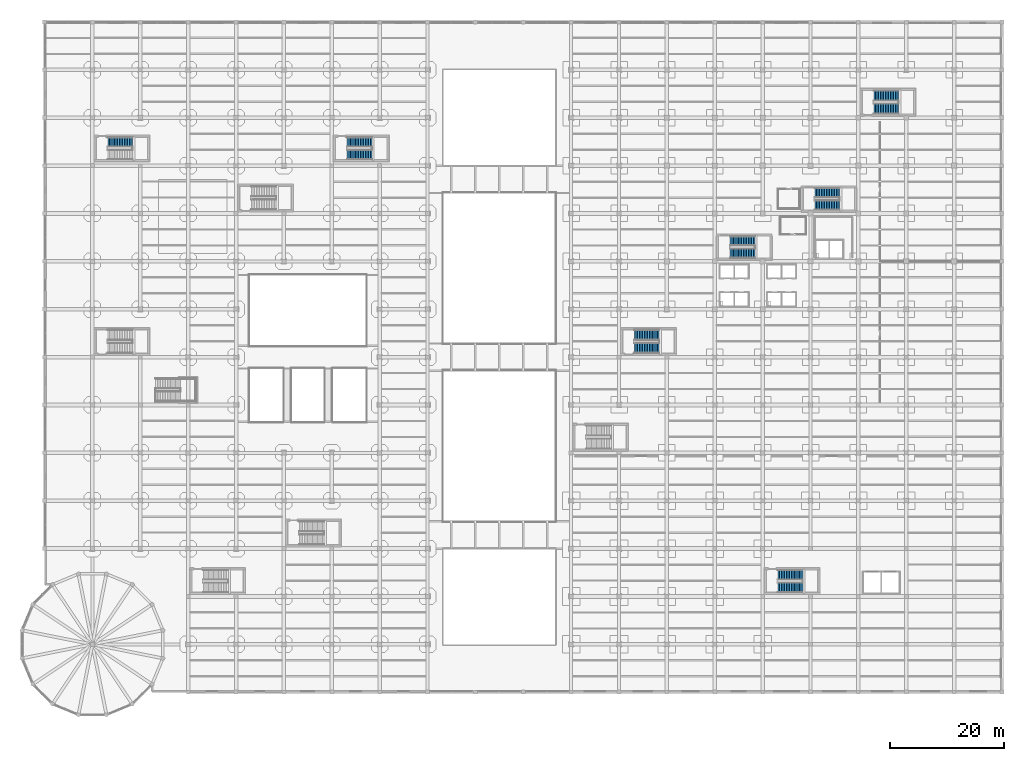
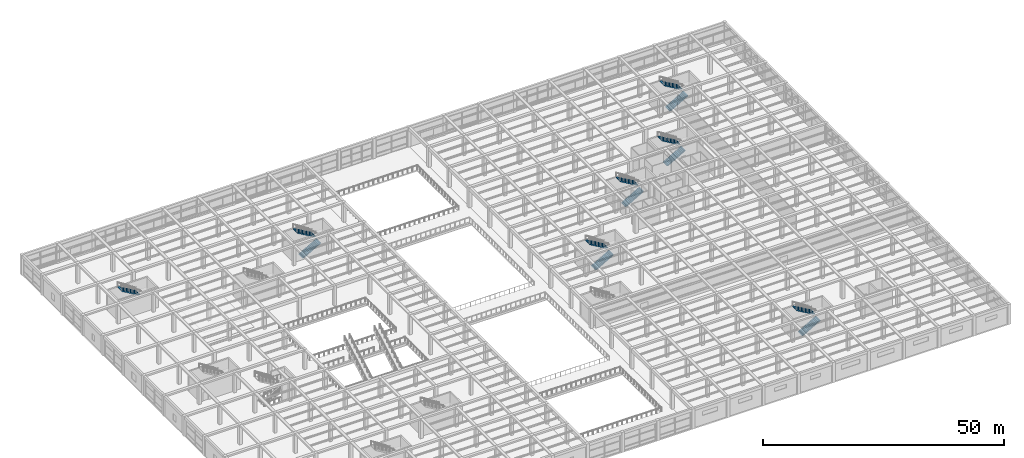
# One storey, part 84 of 96: 13 stair flights, 7 elements without a shape of their own.
"""IFC4 building model written with IfcOpenShell, lengths in metres."""

from ifc_helpers import new_model, si_unit, direction, frame, origin, place, context, subcontext, project, spatial, polyline, outline, extrude, material, layer, layer_set, type_object, element, aggregate, save


model = new_model("IFC4")

# Units and contexts
model_context = context("Model", 3, precision=1e-05, world=origin(), true_north=direction((0.0, 1.0)))
body_context = subcontext(model_context, "Body", "Model", "MODEL_VIEW")
ifc_project = project(units=[si_unit("LENGTHUNIT", "METRE"), si_unit("AREAUNIT", "SQUARE_METRE"), si_unit("VOLUMEUNIT", "CUBIC_METRE"), si_unit("PLANEANGLEUNIT", "RADIAN"), si_unit("MASSUNIT", "GRAM", prefix="KILO")], contexts=[model_context])

# Site, building, storey
site_placement = place(None, origin())
site = spatial("IfcSite", under=ifc_project, at=site_placement, CompositionType="ELEMENT")
building_placement = place(site_placement, origin())
building = spatial("IfcBuilding", under=site, at=building_placement, Name="Almacenes y Pasaje Nevantli", CompositionType="ELEMENT")
storey_placement = place(building_placement, frame((0.0, 0.0, 6.0)))
storey = spatial("IfcBuildingStorey", under=building, at=storey_placement, Name="L02", CompositionType="ELEMENT", Elevation=6.0)

# Stair, stair flights
ifc_material_1 = material(Name="Concrete C35/45", Category="concrete")
stair_type_1 = type_object("IfcStairType", Name="STR-CORE-1720", PredefinedType="HALF_TURN_STAIR", material=ifc_material_1)
stair_1_placement = place(storey_placement, origin())
stair_1 = element("IfcStair", 1, at=stair_1_placement, inside=storey, type_object=stair_type_1, Name="L02 Staircase ST-01", PredefinedType="HALF_TURN_STAIR")
ifc_material_2 = material(Name="Concrete C35/45", Category="concrete")
ifc_layer = layer(ifc_material_2, 0.199951171875)
ifc_layer_set = layer_set([ifc_layer], Name="Concrete C35/45")
stair_flight_type = type_object("IfcStairFlightType", Name="SFL-RC-200", PredefinedType="STRAIGHT", material=ifc_layer_set)
stair_flight_1_placement = place(storey_placement, frame((120.300048828125, 77.010009765625, 0.0), z_axis=(0.0, 0.0, 1.0), x_axis=(1.0, 0.0, 0.0)))
stair_flight_1 = element("IfcStairFlight", 2, at=stair_flight_1_placement, type_object=stair_flight_type, Name="ST-01-L02 flight 1", NumberOfRisers=16, NumberOfTreads=15, PredefinedType="STRAIGHT", RiserHeight=0.16875, TreadLength=0.29, context=body_context, shape_type="SweptSolid", body=[
    extrude(outline(polyline([(0.0, 0.0), (0.0, 0.168701171875), (0.2900390625, 0.168701171875), (0.2900390625, 0.33740234375), (0.580078125, 0.33740234375), (0.580078125, 0.50634765625), (0.8701171875, 0.50634765625), (0.8701171875, 0.675048828125), (1.159912109375, 0.675048828125), (1.159912109375, 0.84375), (1.449951171875, 0.84375), (1.449951171875, 1.012451171875), (1.739990234375, 1.012451171875), (1.739990234375, 1.18115234375), (2.030029296875, 1.18115234375), (2.030029296875, 1.35009765625), (2.320068359375, 1.35009765625), (2.320068359375, 1.518798828125), (2.610107421875, 1.518798828125), (2.610107421875, 1.6875), (2.89990234375, 1.6875), (2.89990234375, 1.856201171875), (3.18994140625, 1.856201171875), (3.18994140625, 2.02490234375), (3.47998046875, 2.02490234375), (3.47998046875, 2.19384765625), (3.77001953125, 2.19384765625), (3.77001953125, 2.362548828125), (4.06005859375, 2.362548828125), (4.06005859375, 2.53125), (4.35009765625, 2.53125), (4.35009765625, 2.699951171875), (4.35009765625, 2.2998046875), (0.3974609375, 0.0), (0.0, 0.0)])), frame((0.0, 0.85986328125, 0.0), z_axis=(0.0, -1.0, 0.0), x_axis=(1.0, 0.0, 0.0)), (0.0, 0.0, 1.0), 1.719970703125),
])
stair_flight_2_placement = place(storey_placement, frame((124.64990234375, 79.179931640625, 2.699951171875), z_axis=(0.0, 0.0, 1.0), x_axis=(-1.0, 0.0, 0.0)))
stair_flight_2 = element("IfcStairFlight", 3, at=stair_flight_2_placement, type_object=stair_flight_type, Name="ST-01-L02 flight 2", NumberOfRisers=16, NumberOfTreads=15, PredefinedType="STRAIGHT", RiserHeight=0.16875, TreadLength=0.29, context=body_context, shape_type="SweptSolid", body=[
    extrude(outline(polyline([(0.0, 0.0), (0.0, 0.168701171875), (0.2900390625, 0.168701171875), (0.2900390625, 0.33740234375), (0.580078125, 0.33740234375), (0.580078125, 0.50634765625), (0.8701171875, 0.50634765625), (0.8701171875, 0.675048828125), (1.159912109375, 0.675048828125), (1.159912109375, 0.84375), (1.449951171875, 0.84375), (1.449951171875, 1.012451171875), (1.739990234375, 1.012451171875), (1.739990234375, 1.18115234375), (2.030029296875, 1.18115234375), (2.030029296875, 1.35009765625), (2.320068359375, 1.35009765625), (2.320068359375, 1.518798828125), (2.610107421875, 1.518798828125), (2.610107421875, 1.6875), (2.89990234375, 1.6875), (2.89990234375, 1.856201171875), (3.18994140625, 1.856201171875), (3.18994140625, 2.02490234375), (3.47998046875, 2.02490234375), (3.47998046875, 2.19384765625), (3.77001953125, 2.19384765625), (3.77001953125, 2.362548828125), (4.06005859375, 2.362548828125), (4.06005859375, 2.53125), (4.35009765625, 2.53125), (4.35009765625, 2.699951171875), (4.35009765625, 2.2998046875), (0.3974609375, 0.0), (0.0, 0.0)])), frame((0.0, 0.85986328125, 0.0), z_axis=(0.0, -1.0, 0.0), x_axis=(1.0, 0.0, 0.0)), (0.0, 0.0, 1.0), 1.719970703125),
])
aggregate(stair_1, [stair_flight_1, stair_flight_2])

stair_2_placement = place(storey_placement, origin())
stair_2 = element("IfcStair", 4, at=stair_2_placement, inside=storey, type_object=stair_type_1, Name="L02 Staircase ST-02", PredefinedType="HALF_TURN_STAIR")
stair_flight_3_placement = place(storey_placement, frame((135.14990234375, 85.4599609375, 0.0), z_axis=(0.0, 0.0, 1.0), x_axis=(1.0, 0.0, 0.0)))
stair_flight_3 = element("IfcStairFlight", 5, at=stair_flight_3_placement, type_object=stair_flight_type, Name="ST-02-L02 flight 1", NumberOfRisers=16, NumberOfTreads=15, PredefinedType="STRAIGHT", RiserHeight=0.16875, TreadLength=0.29, context=body_context, shape_type="SweptSolid", body=[
    extrude(outline(polyline([(0.0, 0.0), (0.0, 0.168701171875), (0.2900390625, 0.168701171875), (0.2900390625, 0.33740234375), (0.580078125, 0.33740234375), (0.580078125, 0.50634765625), (0.8701171875, 0.50634765625), (0.8701171875, 0.675048828125), (1.159912109375, 0.675048828125), (1.159912109375, 0.84375), (1.449951171875, 0.84375), (1.449951171875, 1.012451171875), (1.739990234375, 1.012451171875), (1.739990234375, 1.18115234375), (2.030029296875, 1.18115234375), (2.030029296875, 1.35009765625), (2.320068359375, 1.35009765625), (2.320068359375, 1.518798828125), (2.610107421875, 1.518798828125), (2.610107421875, 1.6875), (2.89990234375, 1.6875), (2.89990234375, 1.856201171875), (3.18994140625, 1.856201171875), (3.18994140625, 2.02490234375), (3.47998046875, 2.02490234375), (3.47998046875, 2.19384765625), (3.77001953125, 2.19384765625), (3.77001953125, 2.362548828125), (4.06005859375, 2.362548828125), (4.06005859375, 2.53125), (4.35009765625, 2.53125), (4.35009765625, 2.699951171875), (4.35009765625, 2.2998046875), (0.3974609375, 0.0), (0.0, 0.0)])), frame((0.0, 0.85986328125, 0.0), z_axis=(0.0, -1.0, 0.0), x_axis=(1.0, 0.0, 0.0)), (0.0, 0.0, 1.0), 1.719970703125),
])
stair_flight_4_placement = place(storey_placement, frame((139.5, 87.6298828125, 2.699951171875), z_axis=(0.0, 0.0, 1.0), x_axis=(-1.0, 0.0, 0.0)))
stair_flight_4 = element("IfcStairFlight", 6, at=stair_flight_4_placement, type_object=stair_flight_type, Name="ST-02-L02 flight 2", NumberOfRisers=16, NumberOfTreads=15, PredefinedType="STRAIGHT", RiserHeight=0.16875, TreadLength=0.29, context=body_context, shape_type="SweptSolid", body=[
    extrude(outline(polyline([(0.0, 0.0), (0.0, 0.168701171875), (0.2900390625, 0.168701171875), (0.2900390625, 0.33740234375), (0.580078125, 0.33740234375), (0.580078125, 0.50634765625), (0.8701171875, 0.50634765625), (0.8701171875, 0.675048828125), (1.159912109375, 0.675048828125), (1.159912109375, 0.84375), (1.449951171875, 0.84375), (1.449951171875, 1.012451171875), (1.739990234375, 1.012451171875), (1.739990234375, 1.18115234375), (2.030029296875, 1.18115234375), (2.030029296875, 1.35009765625), (2.320068359375, 1.35009765625), (2.320068359375, 1.518798828125), (2.610107421875, 1.518798828125), (2.610107421875, 1.6875), (2.89990234375, 1.6875), (2.89990234375, 1.856201171875), (3.18994140625, 1.856201171875), (3.18994140625, 2.02490234375), (3.47998046875, 2.02490234375), (3.47998046875, 2.19384765625), (3.77001953125, 2.19384765625), (3.77001953125, 2.362548828125), (4.06005859375, 2.362548828125), (4.06005859375, 2.53125), (4.35009765625, 2.53125), (4.35009765625, 2.699951171875), (4.35009765625, 2.2998046875), (0.3974609375, 0.0), (0.0, 0.0)])), frame((0.0, 0.85986328125, 0.0), z_axis=(0.0, -1.0, 0.0), x_axis=(1.0, 0.0, 0.0)), (0.0, 0.0, 1.0), 1.719970703125),
])
aggregate(stair_2, [stair_flight_3, stair_flight_4])

# Stair, stair flight
ifc_material_3 = material(Name="Concrete C35/45", Category="concrete")
stair_type_2 = type_object("IfcStairType", Name="STR-CORE-1750", PredefinedType="HALF_TURN_STAIR", material=ifc_material_3)
stair_3_placement = place(storey_placement, origin())
stair_3 = element("IfcStair", 7, at=stair_3_placement, inside=storey, type_object=stair_type_2, Name="L02 Staircase ST-03", PredefinedType="HALF_TURN_STAIR")
stair_flight_5_placement = place(storey_placement, frame((15.449951171875, 96.52490234375, 2.699951171875), z_axis=(0.0, 0.0, 1.0), x_axis=(-1.0, 0.0, 0.0)))
stair_flight_5 = element("IfcStairFlight", 8, at=stair_flight_5_placement, type_object=stair_flight_type, Name="ST-03-L02 flight 2", NumberOfRisers=16, NumberOfTreads=15, PredefinedType="STRAIGHT", RiserHeight=0.16875, TreadLength=0.29, context=body_context, shape_type="SweptSolid", body=[
    extrude(outline(polyline([(0.0, 0.0), (0.0, 0.168701171875), (0.2900390625, 0.168701171875), (0.2900390625, 0.33740234375), (0.580078125, 0.33740234375), (0.580078125, 0.50634765625), (0.8701171875, 0.50634765625), (0.8701171875, 0.675048828125), (1.159912109375, 0.675048828125), (1.159912109375, 0.84375), (1.449951171875, 0.84375), (1.449951171875, 1.012451171875), (1.739990234375, 1.012451171875), (1.739990234375, 1.18115234375), (2.030029296875, 1.18115234375), (2.030029296875, 1.35009765625), (2.320068359375, 1.35009765625), (2.320068359375, 1.518798828125), (2.610107421875, 1.518798828125), (2.610107421875, 1.6875), (2.89990234375, 1.6875), (2.89990234375, 1.856201171875), (3.18994140625, 1.856201171875), (3.18994140625, 2.02490234375), (3.47998046875, 2.02490234375), (3.47998046875, 2.19384765625), (3.77001953125, 2.19384765625), (3.77001953125, 2.362548828125), (4.06005859375, 2.362548828125), (4.06005859375, 2.53125), (4.35009765625, 2.53125), (4.35009765625, 2.699951171875), (4.35009765625, 2.2998046875), (0.3974609375, 0.0), (0.0, 0.0)])), frame((0.0, 0.875, 0.0), z_axis=(0.0, -1.0, 0.0), x_axis=(1.0, 0.0, 0.0)), (0.0, 0.0, 1.0), 1.75),
])
aggregate(stair_3, [stair_flight_5])

# Stair, stair flights
stair_4_placement = place(storey_placement, origin())
stair_4 = element("IfcStair", 9, at=stair_4_placement, inside=storey, type_object=stair_type_2, Name="L02 Staircase ST-05", PredefinedType="HALF_TURN_STAIR")
stair_flight_6_placement = place(storey_placement, frame((53.10009765625, 94.324951171875, 0.0), z_axis=(0.0, 0.0, 1.0), x_axis=(1.0, 0.0, 0.0)))
stair_flight_6 = element("IfcStairFlight", 10, at=stair_flight_6_placement, type_object=stair_flight_type, Name="ST-05-L02 flight 1", NumberOfRisers=16, NumberOfTreads=15, PredefinedType="STRAIGHT", RiserHeight=0.16875, TreadLength=0.29, context=body_context, shape_type="SweptSolid", body=[
    extrude(outline(polyline([(0.0, 0.0), (0.0, 0.168701171875), (0.2900390625, 0.168701171875), (0.2900390625, 0.33740234375), (0.580078125, 0.33740234375), (0.580078125, 0.50634765625), (0.8701171875, 0.50634765625), (0.8701171875, 0.675048828125), (1.159912109375, 0.675048828125), (1.159912109375, 0.84375), (1.449951171875, 0.84375), (1.449951171875, 1.012451171875), (1.739990234375, 1.012451171875), (1.739990234375, 1.18115234375), (2.030029296875, 1.18115234375), (2.030029296875, 1.35009765625), (2.320068359375, 1.35009765625), (2.320068359375, 1.518798828125), (2.610107421875, 1.518798828125), (2.610107421875, 1.6875), (2.89990234375, 1.6875), (2.89990234375, 1.856201171875), (3.18994140625, 1.856201171875), (3.18994140625, 2.02490234375), (3.47998046875, 2.02490234375), (3.47998046875, 2.19384765625), (3.77001953125, 2.19384765625), (3.77001953125, 2.362548828125), (4.06005859375, 2.362548828125), (4.06005859375, 2.53125), (4.35009765625, 2.53125), (4.35009765625, 2.699951171875), (4.35009765625, 2.2998046875), (0.3974609375, 0.0), (0.0, 0.0)])), frame((0.0, 0.875, 0.0), z_axis=(0.0, -1.0, 0.0), x_axis=(1.0, 0.0, 0.0)), (0.0, 0.0, 1.0), 1.75),
])
stair_flight_7_placement = place(storey_placement, frame((57.449951171875, 96.52490234375, 2.699951171875), z_axis=(0.0, 0.0, 1.0), x_axis=(-1.0, 0.0, 0.0)))
stair_flight_7 = element("IfcStairFlight", 11, at=stair_flight_7_placement, type_object=stair_flight_type, Name="ST-05-L02 flight 2", NumberOfRisers=16, NumberOfTreads=15, PredefinedType="STRAIGHT", RiserHeight=0.16875, TreadLength=0.29, context=body_context, shape_type="SweptSolid", body=[
    extrude(outline(polyline([(0.0, 0.0), (0.0, 0.168701171875), (0.2900390625, 0.168701171875), (0.2900390625, 0.33740234375), (0.580078125, 0.33740234375), (0.580078125, 0.50634765625), (0.8701171875, 0.50634765625), (0.8701171875, 0.675048828125), (1.159912109375, 0.675048828125), (1.159912109375, 0.84375), (1.449951171875, 0.84375), (1.449951171875, 1.012451171875), (1.739990234375, 1.012451171875), (1.739990234375, 1.18115234375), (2.030029296875, 1.18115234375), (2.030029296875, 1.35009765625), (2.320068359375, 1.35009765625), (2.320068359375, 1.518798828125), (2.610107421875, 1.518798828125), (2.610107421875, 1.6875), (2.89990234375, 1.6875), (2.89990234375, 1.856201171875), (3.18994140625, 1.856201171875), (3.18994140625, 2.02490234375), (3.47998046875, 2.02490234375), (3.47998046875, 2.19384765625), (3.77001953125, 2.19384765625), (3.77001953125, 2.362548828125), (4.06005859375, 2.362548828125), (4.06005859375, 2.53125), (4.35009765625, 2.53125), (4.35009765625, 2.699951171875), (4.35009765625, 2.2998046875), (0.3974609375, 0.0), (0.0, 0.0)])), frame((0.0, 0.875, 0.0), z_axis=(0.0, -1.0, 0.0), x_axis=(1.0, 0.0, 0.0)), (0.0, 0.0, 1.0), 1.75),
])
aggregate(stair_4, [stair_flight_6, stair_flight_7])

stair_5_placement = place(storey_placement, origin())
stair_5 = element("IfcStair", 12, at=stair_5_placement, inside=storey, type_object=stair_type_2, Name="L02 Staircase ST-06", PredefinedType="HALF_TURN_STAIR")
stair_flight_8_placement = place(storey_placement, frame((128.699951171875, 18.375, 0.0), z_axis=(0.0, 0.0, 1.0), x_axis=(1.0, 0.0, 0.0)))
stair_flight_8 = element("IfcStairFlight", 13, at=stair_flight_8_placement, type_object=stair_flight_type, Name="ST-06-L02 flight 1", NumberOfRisers=16, NumberOfTreads=15, PredefinedType="STRAIGHT", RiserHeight=0.16875, TreadLength=0.29, context=body_context, shape_type="SweptSolid", body=[
    extrude(outline(polyline([(0.0, 0.0), (0.0, 0.168701171875), (0.2900390625, 0.168701171875), (0.2900390625, 0.33740234375), (0.580078125, 0.33740234375), (0.580078125, 0.50634765625), (0.8701171875, 0.50634765625), (0.8701171875, 0.675048828125), (1.159912109375, 0.675048828125), (1.159912109375, 0.84375), (1.449951171875, 0.84375), (1.449951171875, 1.012451171875), (1.739990234375, 1.012451171875), (1.739990234375, 1.18115234375), (2.030029296875, 1.18115234375), (2.030029296875, 1.35009765625), (2.320068359375, 1.35009765625), (2.320068359375, 1.518798828125), (2.610107421875, 1.518798828125), (2.610107421875, 1.6875), (2.89990234375, 1.6875), (2.89990234375, 1.856201171875), (3.18994140625, 1.856201171875), (3.18994140625, 2.02490234375), (3.47998046875, 2.02490234375), (3.47998046875, 2.19384765625), (3.77001953125, 2.19384765625), (3.77001953125, 2.362548828125), (4.06005859375, 2.362548828125), (4.06005859375, 2.53125), (4.35009765625, 2.53125), (4.35009765625, 2.699951171875), (4.35009765625, 2.2998046875), (0.3974609375, 0.0), (0.0, 0.0)])), frame((0.0, 0.875, 0.0), z_axis=(0.0, -1.0, 0.0), x_axis=(1.0, 0.0, 0.0)), (0.0, 0.0, 1.0), 1.75),
])
stair_flight_9_placement = place(storey_placement, frame((133.050048828125, 20.574951171875, 2.699951171875), z_axis=(0.0, 0.0, 1.0), x_axis=(-1.0, 0.0, 0.0)))
stair_flight_9 = element("IfcStairFlight", 14, at=stair_flight_9_placement, type_object=stair_flight_type, Name="ST-06-L02 flight 2", NumberOfRisers=16, NumberOfTreads=15, PredefinedType="STRAIGHT", RiserHeight=0.16875, TreadLength=0.29, context=body_context, shape_type="SweptSolid", body=[
    extrude(outline(polyline([(0.0, 0.0), (0.0, 0.168701171875), (0.2900390625, 0.168701171875), (0.2900390625, 0.33740234375), (0.580078125, 0.33740234375), (0.580078125, 0.50634765625), (0.8701171875, 0.50634765625), (0.8701171875, 0.675048828125), (1.159912109375, 0.675048828125), (1.159912109375, 0.84375), (1.449951171875, 0.84375), (1.449951171875, 1.012451171875), (1.739990234375, 1.012451171875), (1.739990234375, 1.18115234375), (2.030029296875, 1.18115234375), (2.030029296875, 1.35009765625), (2.320068359375, 1.35009765625), (2.320068359375, 1.518798828125), (2.610107421875, 1.518798828125), (2.610107421875, 1.6875), (2.89990234375, 1.6875), (2.89990234375, 1.856201171875), (3.18994140625, 1.856201171875), (3.18994140625, 2.02490234375), (3.47998046875, 2.02490234375), (3.47998046875, 2.19384765625), (3.77001953125, 2.19384765625), (3.77001953125, 2.362548828125), (4.06005859375, 2.362548828125), (4.06005859375, 2.53125), (4.35009765625, 2.53125), (4.35009765625, 2.699951171875), (4.35009765625, 2.2998046875), (0.3974609375, 0.0), (0.0, 0.0)])), frame((0.0, 0.875, 0.0), z_axis=(0.0, -1.0, 0.0), x_axis=(1.0, 0.0, 0.0)), (0.0, 0.0, 1.0), 1.75),
])
aggregate(stair_5, [stair_flight_8, stair_flight_9])

ifc_material_4 = material(Name="Concrete C35/45", Category="concrete")
stair_type_3 = type_object("IfcStairType", Name="STR-CORE-1850", PredefinedType="HALF_TURN_STAIR", material=ifc_material_4)
stair_6_placement = place(storey_placement, origin())
stair_6 = element("IfcStair", 15, at=stair_6_placement, inside=storey, type_object=stair_type_3, Name="L02 Staircase ST-07", PredefinedType="HALF_TURN_STAIR")
stair_flight_10_placement = place(storey_placement, frame((145.5, 102.375, 0.0), z_axis=(0.0, 0.0, 1.0), x_axis=(1.0, 0.0, 0.0)))
stair_flight_10 = element("IfcStairFlight", 16, at=stair_flight_10_placement, type_object=stair_flight_type, Name="ST-07-L02 flight 1", NumberOfRisers=16, NumberOfTreads=15, PredefinedType="STRAIGHT", RiserHeight=0.16875, TreadLength=0.29, context=body_context, shape_type="SweptSolid", body=[
    extrude(outline(polyline([(0.0, 0.0), (0.0, 0.168701171875), (0.2900390625, 0.168701171875), (0.2900390625, 0.33740234375), (0.580078125, 0.33740234375), (0.580078125, 0.50634765625), (0.8701171875, 0.50634765625), (0.8701171875, 0.675048828125), (1.159912109375, 0.675048828125), (1.159912109375, 0.84375), (1.449951171875, 0.84375), (1.449951171875, 1.012451171875), (1.739990234375, 1.012451171875), (1.739990234375, 1.18115234375), (2.030029296875, 1.18115234375), (2.030029296875, 1.35009765625), (2.320068359375, 1.35009765625), (2.320068359375, 1.518798828125), (2.610107421875, 1.518798828125), (2.610107421875, 1.6875), (2.89990234375, 1.6875), (2.89990234375, 1.856201171875), (3.18994140625, 1.856201171875), (3.18994140625, 2.02490234375), (3.47998046875, 2.02490234375), (3.47998046875, 2.19384765625), (3.77001953125, 2.19384765625), (3.77001953125, 2.362548828125), (4.06005859375, 2.362548828125), (4.06005859375, 2.53125), (4.35009765625, 2.53125), (4.35009765625, 2.699951171875), (4.35009765625, 2.2998046875), (0.3974609375, 0.0), (0.0, 0.0)])), frame((0.0, 0.925048828125, 0.0), z_axis=(0.0, -1.0, 0.0), x_axis=(1.0, 0.0, 0.0)), (0.0, 0.0, 1.0), 1.85009765625),
])
stair_flight_11_placement = place(storey_placement, frame((149.85009765625, 104.675048828125, 2.699951171875), z_axis=(0.0, 0.0, 1.0), x_axis=(-1.0, 0.0, 0.0)))
stair_flight_11 = element("IfcStairFlight", 17, at=stair_flight_11_placement, type_object=stair_flight_type, Name="ST-07-L02 flight 2", NumberOfRisers=16, NumberOfTreads=15, PredefinedType="STRAIGHT", RiserHeight=0.16875, TreadLength=0.29, context=body_context, shape_type="SweptSolid", body=[
    extrude(outline(polyline([(0.0, 0.0), (0.0, 0.168701171875), (0.2900390625, 0.168701171875), (0.2900390625, 0.33740234375), (0.580078125, 0.33740234375), (0.580078125, 0.50634765625), (0.8701171875, 0.50634765625), (0.8701171875, 0.675048828125), (1.159912109375, 0.675048828125), (1.159912109375, 0.84375), (1.449951171875, 0.84375), (1.449951171875, 1.012451171875), (1.739990234375, 1.012451171875), (1.739990234375, 1.18115234375), (2.030029296875, 1.18115234375), (2.030029296875, 1.35009765625), (2.320068359375, 1.35009765625), (2.320068359375, 1.518798828125), (2.610107421875, 1.518798828125), (2.610107421875, 1.6875), (2.89990234375, 1.6875), (2.89990234375, 1.856201171875), (3.18994140625, 1.856201171875), (3.18994140625, 2.02490234375), (3.47998046875, 2.02490234375), (3.47998046875, 2.19384765625), (3.77001953125, 2.19384765625), (3.77001953125, 2.362548828125), (4.06005859375, 2.362548828125), (4.06005859375, 2.53125), (4.35009765625, 2.53125), (4.35009765625, 2.699951171875), (4.35009765625, 2.2998046875), (0.3974609375, 0.0), (0.0, 0.0)])), frame((0.0, 0.925048828125, 0.0), z_axis=(0.0, -1.0, 0.0), x_axis=(1.0, 0.0, 0.0)), (0.0, 0.0, 1.0), 1.85009765625),
])
aggregate(stair_6, [stair_flight_10, stair_flight_11])

stair_7_placement = place(storey_placement, origin())
stair_7 = element("IfcStair", 18, at=stair_7_placement, inside=storey, type_object=stair_type_3, Name="L02 Staircase ST-13", PredefinedType="HALF_TURN_STAIR")
stair_flight_12_placement = place(storey_placement, frame((103.5, 60.375, 0.0), z_axis=(0.0, 0.0, 1.0), x_axis=(1.0, 0.0, 0.0)))
stair_flight_12 = element("IfcStairFlight", 19, at=stair_flight_12_placement, type_object=stair_flight_type, Name="ST-13-L02 flight 1", NumberOfRisers=16, NumberOfTreads=15, PredefinedType="STRAIGHT", RiserHeight=0.16875, TreadLength=0.29, context=body_context, shape_type="SweptSolid", body=[
    extrude(outline(polyline([(0.0, 0.0), (0.0, 0.168701171875), (0.2900390625, 0.168701171875), (0.2900390625, 0.33740234375), (0.580078125, 0.33740234375), (0.580078125, 0.50634765625), (0.8701171875, 0.50634765625), (0.8701171875, 0.675048828125), (1.159912109375, 0.675048828125), (1.159912109375, 0.84375), (1.449951171875, 0.84375), (1.449951171875, 1.012451171875), (1.739990234375, 1.012451171875), (1.739990234375, 1.18115234375), (2.030029296875, 1.18115234375), (2.030029296875, 1.35009765625), (2.320068359375, 1.35009765625), (2.320068359375, 1.518798828125), (2.610107421875, 1.518798828125), (2.610107421875, 1.6875), (2.89990234375, 1.6875), (2.89990234375, 1.856201171875), (3.18994140625, 1.856201171875), (3.18994140625, 2.02490234375), (3.47998046875, 2.02490234375), (3.47998046875, 2.19384765625), (3.77001953125, 2.19384765625), (3.77001953125, 2.362548828125), (4.06005859375, 2.362548828125), (4.06005859375, 2.53125), (4.35009765625, 2.53125), (4.35009765625, 2.699951171875), (4.35009765625, 2.2998046875), (0.3974609375, 0.0), (0.0, 0.0)])), frame((0.0, 0.925048828125, 0.0), z_axis=(0.0, -1.0, 0.0), x_axis=(1.0, 0.0, 0.0)), (0.0, 0.0, 1.0), 1.85009765625),
])
stair_flight_13_placement = place(storey_placement, frame((107.85009765625, 62.675048828125, 2.699951171875), z_axis=(0.0, 0.0, 1.0), x_axis=(-1.0, 0.0, 0.0)))
stair_flight_13 = element("IfcStairFlight", 20, at=stair_flight_13_placement, type_object=stair_flight_type, Name="ST-13-L02 flight 2", NumberOfRisers=16, NumberOfTreads=15, PredefinedType="STRAIGHT", RiserHeight=0.16875, TreadLength=0.29, context=body_context, shape_type="SweptSolid", body=[
    extrude(outline(polyline([(0.0, 0.0), (0.0, 0.168701171875), (0.2900390625, 0.168701171875), (0.2900390625, 0.33740234375), (0.580078125, 0.33740234375), (0.580078125, 0.50634765625), (0.8701171875, 0.50634765625), (0.8701171875, 0.675048828125), (1.159912109375, 0.675048828125), (1.159912109375, 0.84375), (1.449951171875, 0.84375), (1.449951171875, 1.012451171875), (1.739990234375, 1.012451171875), (1.739990234375, 1.18115234375), (2.030029296875, 1.18115234375), (2.030029296875, 1.35009765625), (2.320068359375, 1.35009765625), (2.320068359375, 1.518798828125), (2.610107421875, 1.518798828125), (2.610107421875, 1.6875), (2.89990234375, 1.6875), (2.89990234375, 1.856201171875), (3.18994140625, 1.856201171875), (3.18994140625, 2.02490234375), (3.47998046875, 2.02490234375), (3.47998046875, 2.19384765625), (3.77001953125, 2.19384765625), (3.77001953125, 2.362548828125), (4.06005859375, 2.362548828125), (4.06005859375, 2.53125), (4.35009765625, 2.53125), (4.35009765625, 2.699951171875), (4.35009765625, 2.2998046875), (0.3974609375, 0.0), (0.0, 0.0)])), frame((0.0, 0.925048828125, 0.0), z_axis=(0.0, -1.0, 0.0), x_axis=(1.0, 0.0, 0.0)), (0.0, 0.0, 1.0), 1.85009765625),
])
aggregate(stair_7, [stair_flight_12, stair_flight_13])

save(model, "model.ifc")
